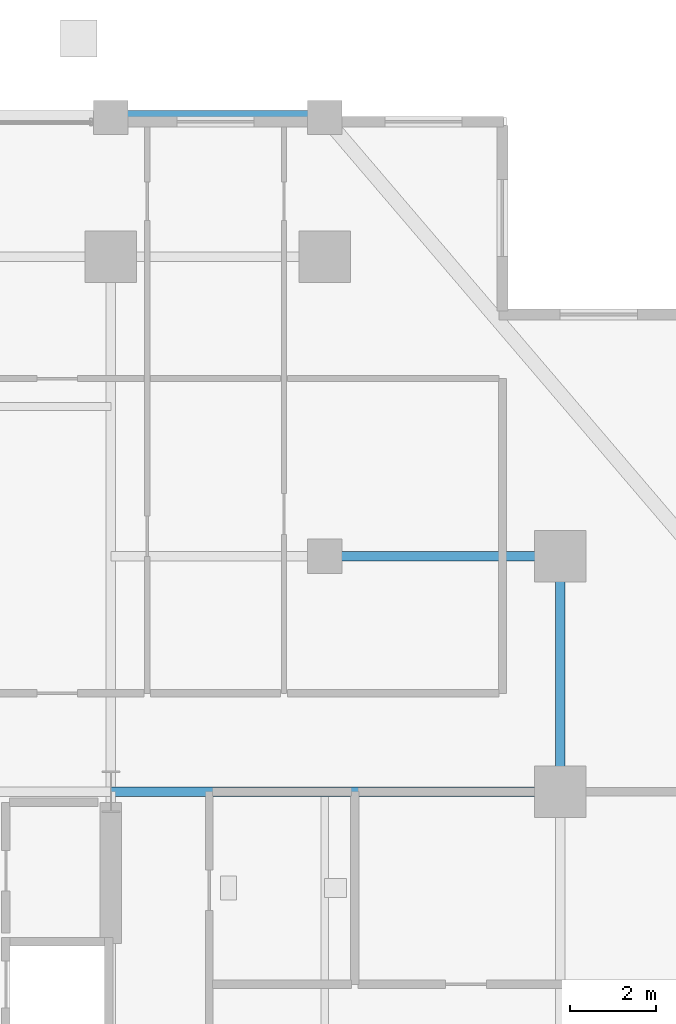
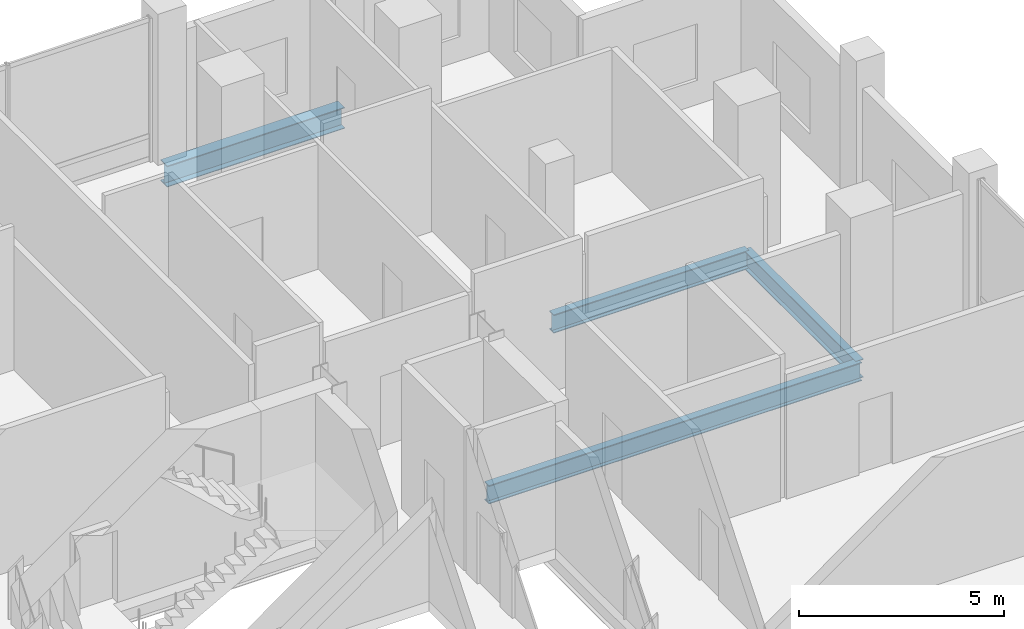
# One storey, part 11 of 19: 4 beams.
"""IFC4 building model written with IfcOpenShell, lengths in metres."""

from ifc_helpers import new_model, si_unit, direction, frame, origin, origin_2d, place, context, subcontext, project, spatial, i_section, extrude, material, material_profile, profile_set, type_object, element, save


model = new_model("IFC4")

# Units and contexts
model_context = context("Model", 3, precision=1e-05, world=origin(), true_north=direction((0.0, 1.0)))
body_context = subcontext(model_context, "Body", "Model", "MODEL_VIEW")
ifc_project = project(units=[si_unit("LENGTHUNIT", "METRE"), si_unit("AREAUNIT", "SQUARE_METRE"), si_unit("VOLUMEUNIT", "CUBIC_METRE"), si_unit("PLANEANGLEUNIT", "RADIAN"), si_unit("MASSUNIT", "GRAM", prefix="KILO")], contexts=[model_context])

# Site, building, storey
site_placement = place(None, origin())
site = spatial("IfcSite", under=ifc_project, at=site_placement, CompositionType="ELEMENT")
building_placement = place(site_placement, origin())
building = spatial("IfcBuilding", under=site, at=building_placement, Name="Barlavira Tower and Art Museum", CompositionType="ELEMENT")
storey_placement = place(building_placement, frame((0.0, 0.0, 125.10009765625)))
storey = spatial("IfcBuildingStorey", under=building, at=storey_placement, Name="L31", CompositionType="ELEMENT", Elevation=125.10009765625)

# Beams
ifc_material = material(Name="Steel S355", Category="steel")
ifc_material_profile_1 = material_profile(ifc_material, i_section(OverallWidth=0.327880859375, OverallDepth=0.62890625, WebThickness=0.013916015625, FlangeThickness=0.021484375, at=origin_2d()), Name="W610x174.0")
ifc_profile_set_1 = profile_set([ifc_material_profile_1], Name="Steel S355")
beam_type_1 = type_object("IfcBeamType", Name="Perimeter Spandrel Edge Beam W610x174 Steel S355", PredefinedType="SPANDREL", material=ifc_profile_set_1)
beam_1_placement = place(storey_placement, frame((6.5, 23.25, -0.614501953125), z_axis=(1.0, 0.0, 0.0), x_axis=(0.0, 1.0, 0.0)))
element("IfcBeam", 1, at=beam_1_placement, inside=storey, type_object=beam_type_1, Name="L31 Spandrel 9", PredefinedType="SPANDREL", context=body_context, shape_type="SweptSolid", body=[
    extrude(i_section(OverallWidth=0.327880859375, OverallDepth=0.62890625, WebThickness=0.013916015625, FlangeThickness=0.021484375, at=origin_2d()), origin(), (0.0, 0.0, 1.0), 5.0),
])
ifc_material_profile_2 = material_profile(ifc_material, i_section(OverallWidth=0.214111328125, OverallDepth=0.549072265625, WebThickness=0.0146484375, FlangeThickness=0.023681640625, at=origin_2d()), Name="W530x138.0")
ifc_profile_set_2 = profile_set([ifc_material_profile_2], Name="Steel S355")
beam_type_2 = type_object("IfcBeamType", Name="Zone 1 Primary Floor Girder W530x138 Steel S355", PredefinedType="BEAM", material=ifc_profile_set_2)
beam_2_placement = place(storey_placement, frame((17.0, 7.5, -0.57470703125), z_axis=(0.0, 1.0, 0.0), x_axis=(-1.0, 0.0, 0.0)))
element("IfcBeam", 2, at=beam_2_placement, inside=storey, type_object=beam_type_2, Name="L31 Girder M-E3", PredefinedType="BEAM", context=body_context, shape_type="SweptSolid", body=[
    extrude(i_section(OverallWidth=0.214111328125, OverallDepth=0.549072265625, WebThickness=0.0146484375, FlangeThickness=0.023681640625, at=origin_2d()), origin(), (0.0, 0.0, 1.0), 5.5),
])
beam_3_placement = place(storey_placement, frame((6.5, 7.5, -0.57470703125), z_axis=(1.0, 0.0, 0.0), x_axis=(0.0, 1.0, 0.0)))
element("IfcBeam", 3, at=beam_3_placement, inside=storey, type_object=beam_type_2, Name="L31 Girder R-E2", PredefinedType="BEAM", context=body_context, shape_type="SweptSolid", body=[
    extrude(i_section(OverallWidth=0.214111328125, OverallDepth=0.549072265625, WebThickness=0.0146484375, FlangeThickness=0.023681640625, at=origin_2d()), origin(), (0.0, 0.0, 1.0), 10.5),
])
beam_4_placement = place(storey_placement, frame((11.5, 13.0, -0.57470703125), z_axis=(1.0, 0.0, 0.0), x_axis=(0.0, 1.0, 0.0)))
element("IfcBeam", 4, at=beam_4_placement, inside=storey, type_object=beam_type_2, Name="L31 Girder I-N4", PredefinedType="BEAM", context=body_context, shape_type="SweptSolid", body=[
    extrude(i_section(OverallWidth=0.214111328125, OverallDepth=0.549072265625, WebThickness=0.0146484375, FlangeThickness=0.023681640625, at=origin_2d()), origin(), (0.0, 0.0, 1.0), 5.5),
])

save(model, "model.ifc")
